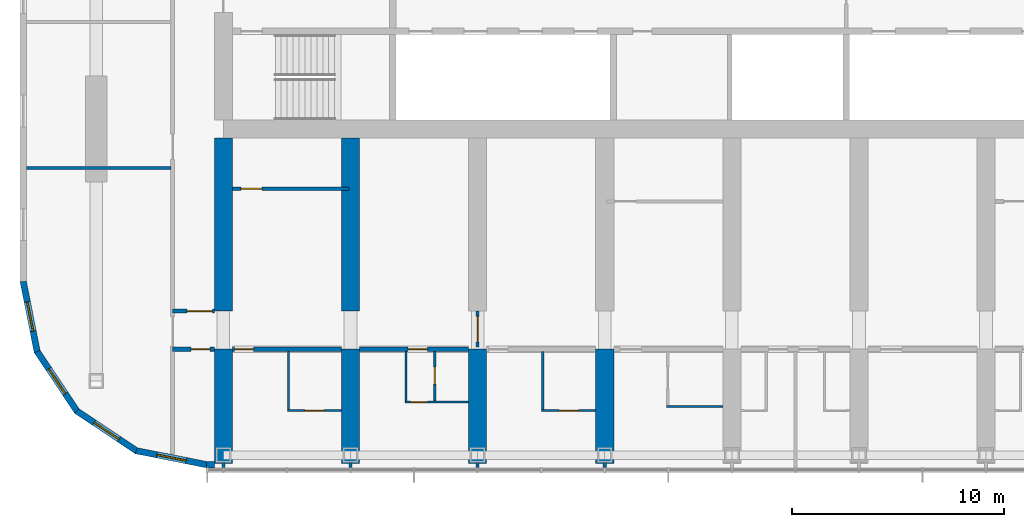
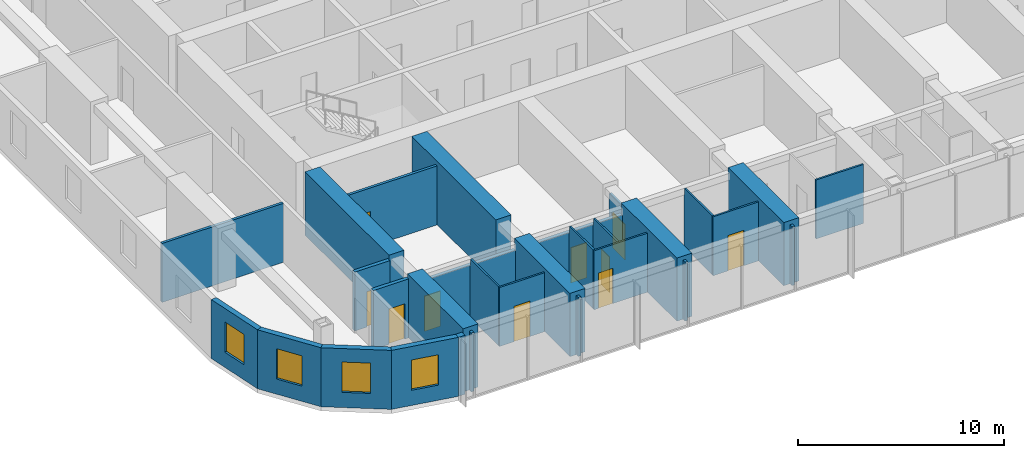
# One storey, part 10 of 23: 30 walls, 10 doors, 4 windows, 14 openings.
"""IFC4 building model written with IfcOpenShell, lengths in metres."""

from ifc_helpers import new_model, si_unit, direction, frame, frame_2d, origin, place, context, subcontext, project, spatial, polyline, rectangle, outline, extrude, material, layer, layer_set, type_object, element, fill, save


model = new_model("IFC4")

# Units and contexts
model_context = context("Model", 3, precision=1e-05, world=origin(), true_north=direction((0.0, 1.0)))
body_context = subcontext(model_context, "Body", "Model", "MODEL_VIEW")
ifc_project = project(units=[si_unit("LENGTHUNIT", "METRE"), si_unit("AREAUNIT", "SQUARE_METRE"), si_unit("VOLUMEUNIT", "CUBIC_METRE"), si_unit("PLANEANGLEUNIT", "RADIAN"), si_unit("MASSUNIT", "GRAM", prefix="KILO")], contexts=[model_context])

# Site, building, storey
site_placement = place(None, origin())
site = spatial("IfcSite", under=ifc_project, at=site_placement, CompositionType="ELEMENT")
building_placement = place(site_placement, origin())
building = spatial("IfcBuilding", under=site, at=building_placement, Name="Orbita Commons", CompositionType="ELEMENT")
storey_placement = place(building_placement, frame((0.0, 0.0, 171.10009765625)))
storey = spatial("IfcBuildingStorey", under=building, at=storey_placement, Name="L42", CompositionType="ELEMENT", Elevation=171.10009765625)

# Wall, opening, door
ifc_material_1 = material(Name="Concrete blockwork", Category="masonry")
ifc_layer_1 = layer(ifc_material_1, 0.199951171875)
ifc_layer_set_1 = layer_set([ifc_layer_1], Name="Concrete blockwork")
wall_type_1 = type_object("IfcWallType", Name="Corridor wall 200 blockwork", PredefinedType="SOLIDWALL", material=ifc_layer_set_1)
wall_1_placement = place(storey_placement, frame((15.60009765625, 15.39990234375, 0.0), z_axis=(0.0, 0.0, 1.0), x_axis=(1.0, 0.0, 0.0)))
wall_1 = element("IfcWall", 1, at=wall_1_placement, inside=storey, type_object=wall_type_1, Name="Corridor wall 200 blockwork L42", PredefinedType="SOLIDWALL", context=body_context, shape_type="SweptSolid", body=[
    extrude(rectangle(XDim=1.974853515625, YDim=0.199951171875, at=frame_2d((0.9873046875, 0.0))), origin(), (0.0, 0.0, 1.0), 3.5),
])
opening_1_placement = place(wall_1_placement, frame((0.875, 0.0, 0.0)))
opening_1 = element("IfcOpeningElement", 2, at=opening_1_placement, cuts=wall_1, Name="Opening D05", PredefinedType="OPENING", context=body_context, shape_type="SweptSolid", body=[
    extrude(rectangle(XDim=0.89990234375, YDim=2.10009765625, at=frame_2d((0.449951171875, 1.050048828125))), frame((0.0, 0.10986328125, 0.0), z_axis=(0.0, -1.0, 0.0), x_axis=(1.0, 0.0, 0.0)), (0.0, 0.0, 1.0), 0.219970703125),
])
ifc_material_2 = material(Name="Steel-faced fire door leaf", Category="steel")
door_type_1 = type_object("IfcDoorType", Name="Service door 20 min 900x2100", OperationType="SINGLE_SWING_LEFT", PredefinedType="DOOR", material=ifc_material_2)
door_1_placement = place(opening_1_placement, origin())
door_1 = element("IfcDoor", 3, at=door_1_placement, inside=storey, type_object=door_type_1, Name="Linen store L42-KWS door", OperationType="SINGLE_SWING_LEFT", OverallHeight=2.10009765625, OverallWidth=0.89990234375, PredefinedType="DOOR", context=body_context, shape_type="SweptSolid", body=[
    extrude(rectangle(XDim=0.89990234375, YDim=2.10009765625, at=frame_2d((0.449951171875, 1.050048828125))), frame((0.0, 0.02490234375, 0.0), z_axis=(0.0, -1.0, 0.0), x_axis=(1.0, 0.0, 0.0)), (0.0, 0.0, 1.0), 0.050048828125),
])
fill(opening_1, door_1)

wall_2_placement = place(storey_placement, frame((18.425048828125, 15.39990234375, 0.0), z_axis=(0.0, 0.0, 1.0), x_axis=(1.0, 0.0, 0.0)))
wall_2 = element("IfcWall", 4, at=wall_2_placement, inside=storey, type_object=wall_type_1, Name="Corridor wall 200 blockwork L42", PredefinedType="SOLIDWALL", context=body_context, shape_type="SweptSolid", body=[
    extrude(outline(polyline([(0.0, 0.0), (5.14990234375, 0.0), (5.14990234375, 3.099853515625), (0.0, 3.099853515625), (0.0, 0.0)])), frame((0.0, 0.10009765625, 0.0), z_axis=(0.0, -1.0, 0.0), x_axis=(1.0, 0.0, 0.0)), (0.0, 0.0, 1.0), 0.199951171875),
])
opening_2_placement = place(wall_2_placement, frame((0.10009765625, 0.0, 0.0)))
opening_2 = element("IfcOpeningElement", 5, at=opening_2_placement, cuts=wall_2, Name="Opening D11", PredefinedType="OPENING", context=body_context, shape_type="SweptSolid", body=[
    extrude(rectangle(XDim=0.89990234375, YDim=2.10009765625, at=frame_2d((0.449951171875, 1.050048828125))), frame((0.0, 0.10986328125, 0.0), z_axis=(0.0, -1.0, 0.0), x_axis=(1.0, 0.0, 0.0)), (0.0, 0.0, 1.0), 0.219970703125),
])
ifc_material_3 = material(Name="Steel-faced fire door leaf", Category="steel")
door_type_2 = type_object("IfcDoorType", Name="Corridor door 20 min 900x2100", OperationType="SINGLE_SWING_LEFT", PredefinedType="DOOR", material=ifc_material_3)
door_2_placement = place(opening_2_placement, origin())
door_2 = element("IfcDoor", 6, at=door_2_placement, inside=storey, type_object=door_type_2, Name="Twin room L42-S00 door", OperationType="SINGLE_SWING_LEFT", OverallHeight=2.10009765625, OverallWidth=0.89990234375, PredefinedType="DOOR", context=body_context, shape_type="SweptSolid", body=[
    extrude(rectangle(XDim=0.89990234375, YDim=2.10009765625, at=frame_2d((0.449951171875, 1.050048828125))), frame((0.0, 0.02490234375, 0.0), z_axis=(0.0, -1.0, 0.0), x_axis=(1.0, 0.0, 0.0)), (0.0, 0.0, 1.0), 0.050048828125),
])
fill(opening_2, door_2)

wall_3_placement = place(storey_placement, frame((24.425048828125, 15.39990234375, 0.0), z_axis=(0.0, 0.0, 1.0), x_axis=(1.0, 0.0, 0.0)))
wall_3 = element("IfcWall", 7, at=wall_3_placement, inside=storey, type_object=wall_type_1, Name="Corridor wall 200 blockwork L42", PredefinedType="SOLIDWALL", context=body_context, shape_type="SweptSolid", body=[
    extrude(outline(polyline([(0.0, 0.0), (5.14990234375, 0.0), (5.14990234375, 3.099853515625), (0.0, 3.099853515625), (0.0, 0.0)])), frame((0.0, 0.10009765625, 0.0), z_axis=(0.0, -1.0, 0.0), x_axis=(1.0, 0.0, 0.0)), (0.0, 0.0, 1.0), 0.199951171875),
])
opening_3_placement = place(wall_3_placement, frame((2.300048828125, 0.0, 0.0)))
opening_3 = element("IfcOpeningElement", 8, at=opening_3_placement, cuts=wall_3, Name="Opening D11", PredefinedType="OPENING", context=body_context, shape_type="SweptSolid", body=[
    extrude(rectangle(XDim=0.89990234375, YDim=2.10009765625, at=frame_2d((0.449951171875, 1.050048828125))), frame((0.0, 0.10986328125, 0.0), z_axis=(0.0, -1.0, 0.0), x_axis=(1.0, 0.0, 0.0)), (0.0, 0.0, 1.0), 0.219970703125),
])
door_3_placement = place(opening_3_placement, origin())
door_3 = element("IfcDoor", 9, at=door_3_placement, inside=storey, type_object=door_type_2, Name="Studio flat L42-S02 entrance door", OperationType="SINGLE_SWING_LEFT", OverallHeight=2.10009765625, OverallWidth=0.89990234375, PredefinedType="DOOR", context=body_context, shape_type="SweptSolid", body=[
    extrude(rectangle(XDim=0.89990234375, YDim=2.10009765625, at=frame_2d((0.449951171875, 1.050048828125))), frame((0.0, 0.02490234375, 0.0), z_axis=(0.0, -1.0, 0.0), x_axis=(1.0, 0.0, 0.0)), (0.0, 0.0, 1.0), 0.050048828125),
])
fill(opening_3, door_3)

ifc_material_4 = material(Name="Hollow concrete block 200", Category="concrete")
ifc_layer_2 = layer(ifc_material_4, 0.199951171875)
ifc_layer_set_2 = layer_set([ifc_layer_2], Name="Hollow concrete block 200")
wall_type_2 = type_object("IfcWallType", Name="Corridor wall 200 hollow concrete block", PredefinedType="SOLIDWALL", material=ifc_layer_set_2)
wall_4_placement = place(storey_placement, frame((15.60009765625, 17.199951171875, 0.0), z_axis=(0.0, 0.0, 1.0), x_axis=(1.0, 0.0, 0.0)))
wall_4 = element("IfcWall", 10, at=wall_4_placement, inside=storey, type_object=wall_type_2, Name="Corridor wall 200 hollow concrete block L42", PredefinedType="SOLIDWALL", context=body_context, shape_type="SweptSolid", body=[
    extrude(rectangle(XDim=1.974853515625, YDim=0.199951171875, at=frame_2d((0.9873046875, 0.0))), origin(), (0.0, 0.0, 1.0), 3.5),
])
opening_4_placement = place(wall_4_placement, frame((0.675048828125, 0.0, 0.0)))
opening_4 = element("IfcOpeningElement", 11, at=opening_4_placement, cuts=wall_4, Name="Opening D12", PredefinedType="OPENING", context=body_context, shape_type="SweptSolid", body=[
    extrude(rectangle(XDim=1.199951171875, YDim=2.10009765625, at=frame_2d((0.60009765625, 1.050048828125))), frame((0.0, 0.10986328125, 0.0), z_axis=(0.0, -1.0, 0.0), x_axis=(1.0, 0.0, 0.0)), (0.0, 0.0, 1.0), 0.219970703125),
])
ifc_material_5 = material(Name="Steel-faced fire door leaf", Category="steel")
door_type_3 = type_object("IfcDoorType", Name="Double corridor door 20 min 1200x2100", OperationType="DOUBLE_DOOR_SINGLE_SWING", PredefinedType="DOOR", material=ifc_material_5)
door_4_placement = place(opening_4_placement, origin())
door_4 = element("IfcDoor", 12, at=door_4_placement, inside=storey, type_object=door_type_3, Name="Cross corridor doors", OperationType="DOUBLE_DOOR_SINGLE_SWING", OverallHeight=2.10009765625, OverallWidth=1.199951171875, PredefinedType="DOOR", context=body_context, shape_type="SweptSolid", body=[
    extrude(rectangle(XDim=1.199951171875, YDim=2.10009765625, at=frame_2d((0.60009765625, 1.050048828125))), frame((0.0, 0.02490234375, 0.0), z_axis=(0.0, -1.0, 0.0), x_axis=(1.0, 0.0, 0.0)), (0.0, 0.0, 1.0), 0.050048828125),
])
fill(opening_4, door_4)

# Walls
ifc_material_6 = material(Name="Concrete C50/60", Category="concrete")
ifc_layer_3 = layer(ifc_material_6, 0.85009765625)
ifc_layer_set_3 = layer_set([ifc_layer_3], Name="Concrete C50/60")
wall_type_3 = type_object("IfcWallType", Name="Cross wall 850 C50/60", PredefinedType="SHEAR", material=ifc_layer_set_3)
wall_5_placement = place(storey_placement, frame((18.0, 10.0, 0.0), z_axis=(0.0, 0.0, 1.0), x_axis=(0.0, 1.0, 0.0)))
element("IfcWall", 13, at=wall_5_placement, inside=storey, type_object=wall_type_3, Name="Cross wall 4 south outer L42", PredefinedType="SHEAR", context=body_context, shape_type="SweptSolid", body=[
    extrude(rectangle(XDim=5.39990234375, YDim=0.85009765625, at=frame_2d((2.699951171875, 0.0))), origin(), (0.0, 0.0, 1.0), 3.75),
])
wall_6_placement = place(storey_placement, frame((18.0, 17.199951171875, 0.0), z_axis=(0.0, 0.0, 1.0), x_axis=(0.0, 1.0, 0.0)))
element("IfcWall", 14, at=wall_6_placement, inside=storey, type_object=wall_type_3, Name="Cross wall 4 south inner L42", PredefinedType="SHEAR", context=body_context, shape_type="SweptSolid", body=[
    extrude(rectangle(XDim=8.175048828125, YDim=0.85009765625, at=frame_2d((4.08740234375, 0.0))), origin(), (0.0, 0.0, 1.0), 3.75),
])
wall_7_placement = place(storey_placement, frame((24.0, 10.0, 0.0), z_axis=(0.0, 0.0, 1.0), x_axis=(0.0, 1.0, 0.0)))
element("IfcWall", 15, at=wall_7_placement, inside=storey, type_object=wall_type_3, Name="Cross wall 5 south outer L42", PredefinedType="SHEAR", context=body_context, shape_type="SweptSolid", body=[
    extrude(rectangle(XDim=5.39990234375, YDim=0.85009765625, at=frame_2d((2.699951171875, 0.0))), origin(), (0.0, 0.0, 1.0), 3.75),
])
wall_8_placement = place(storey_placement, frame((24.0, 17.199951171875, 0.0), z_axis=(0.0, 0.0, 1.0), x_axis=(0.0, 1.0, 0.0)))
element("IfcWall", 16, at=wall_8_placement, inside=storey, type_object=wall_type_3, Name="Cross wall 5 south inner L42", PredefinedType="SHEAR", context=body_context, shape_type="SweptSolid", body=[
    extrude(rectangle(XDim=8.175048828125, YDim=0.85009765625, at=frame_2d((4.08740234375, 0.0))), origin(), (0.0, 0.0, 1.0), 3.75),
])
for number, where, z_axis, x_axis, name in (
    (17, (30.0, 10.0, 0.0), (0.0, 0.0, 1.0), (0.0, 1.0, 0.0), "Cross wall 6 south outer L42"),
    (18, (36.0, 10.0, 0.0), (0.0, 0.0, 1.0), (0.0, 1.0, 0.0), "Cross wall 7 south outer L42"),
):
    element("IfcWall", number, at=place(storey_placement, frame(where, z_axis=z_axis, x_axis=x_axis)), inside=storey, type_object=wall_type_3, Name=name, PredefinedType="SHEAR", context=body_context, shape_type="SweptSolid", body=[
        extrude(rectangle(XDim=5.39990234375, YDim=0.85009765625, at=frame_2d((2.699951171875, 0.0))), origin(), (0.0, 0.0, 1.0), 3.75),
    ])

# Wall, opening, door
ifc_material_7 = material(Name="Moisture-resistant plasterboard on steel studs", Category="steel")
ifc_layer_4 = layer(ifc_material_7, 0.10009765625)
ifc_layer_set_4 = layer_set([ifc_layer_4], Name="Moisture-resistant plasterboard on steel studs")
wall_type_4 = type_object("IfcWallType", Name="En-suite partition 100", PredefinedType="PARTITIONING", material=ifc_layer_set_4)
wall_9_placement = place(storey_placement, frame((23.574951171875, 12.5, 0.0), z_axis=(0.0, 0.0, 1.0), x_axis=(-1.0, 0.0, 0.0)))
wall_9 = element("IfcWall", 19, at=wall_9_placement, inside=storey, type_object=wall_type_4, Name="En-suite partition 100 L42", PredefinedType="PARTITIONING", context=body_context, shape_type="SweptSolid", body=[
    extrude(rectangle(XDim=2.550048828125, YDim=0.10009765625, at=frame_2d((1.27490234375, 0.0))), origin(), (0.0, 0.0, 1.0), 3.5),
])
opening_5_placement = place(wall_9_placement, frame((0.824951171875, 0.0, 0.0)))
opening_5 = element("IfcOpeningElement", 20, at=opening_5_placement, cuts=wall_9, Name="Opening D09", PredefinedType="OPENING", context=body_context, shape_type="SweptSolid", body=[
    extrude(rectangle(XDim=0.89990234375, YDim=2.10009765625, at=frame_2d((0.449951171875, 1.050048828125))), frame((0.0, 0.06005859375, 0.0), z_axis=(0.0, -1.0, 0.0), x_axis=(1.0, 0.0, 0.0)), (0.0, 0.0, 1.0), 0.1201171875),
])
ifc_material_8 = material(Name="Laminated timber door leaf", Category="wood")
door_type_4 = type_object("IfcDoorType", Name="En-suite door 900x2100", OperationType="SINGLE_SWING_RIGHT", PredefinedType="DOOR", material=ifc_material_8)
door_5_placement = place(opening_5_placement, origin())
door_5 = element("IfcDoor", 21, at=door_5_placement, inside=storey, type_object=door_type_4, Name="En-suite L42-S00 door", OperationType="SINGLE_SWING_RIGHT", OverallHeight=2.10009765625, OverallWidth=0.89990234375, PredefinedType="DOOR", context=body_context, shape_type="SweptSolid", body=[
    extrude(rectangle(XDim=0.89990234375, YDim=2.10009765625, at=frame_2d((0.449951171875, 1.050048828125))), frame((0.0, 0.02490234375, 0.0), z_axis=(0.0, -1.0, 0.0), x_axis=(1.0, 0.0, 0.0)), (0.0, 0.0, 1.0), 0.050048828125),
])
fill(opening_5, door_5)

# Wall
wall_10_placement = place(storey_placement, frame((21.074951171875, 12.550048828125, 0.0), z_axis=(0.0, 0.0, 1.0), x_axis=(0.0, 1.0, 0.0)))
element("IfcWall", 22, at=wall_10_placement, inside=storey, type_object=wall_type_4, Name="En-suite partition 100 L42", PredefinedType="PARTITIONING", context=body_context, shape_type="SweptSolid", body=[
    extrude(outline(polyline([(0.0, 0.0), (2.75, 0.0), (2.75, 3.099853515625), (2.701904296875, 3.099853515625), (2.699951171875, 3.5), (0.0, 3.5), (0.0, 0.0)])), frame((0.0, 0.050048828125, 0.0), z_axis=(0.0, -1.0, 0.0), x_axis=(1.0, 0.0, 0.0)), (0.0, 0.0, 1.0), 0.10009765625),
])

# Wall, opening, door
wall_11_placement = place(storey_placement, frame((29.574951171875, 12.89990234375, 0.0), z_axis=(0.0, 0.0, 1.0), x_axis=(-1.0, 0.0, 0.0)))
wall_11 = element("IfcWall", 23, at=wall_11_placement, inside=storey, type_object=wall_type_4, Name="En-suite partition 100 L42", PredefinedType="PARTITIONING", context=body_context, shape_type="SweptSolid", body=[
    extrude(rectangle(XDim=3.0, YDim=0.10009765625, at=frame_2d((1.5, 0.0))), origin(), (0.0, 0.0, 1.0), 3.5),
])
opening_6_placement = place(wall_11_placement, frame((1.949951171875, 0.0, 0.0)))
opening_6 = element("IfcOpeningElement", 24, at=opening_6_placement, cuts=wall_11, Name="Opening D16", PredefinedType="OPENING", context=body_context, shape_type="SweptSolid", body=[
    extrude(rectangle(XDim=0.800048828125, YDim=2.10009765625, at=frame_2d((0.39990234375, 1.050048828125))), frame((0.0, 0.06005859375, 0.0), z_axis=(0.0, -1.0, 0.0), x_axis=(1.0, 0.0, 0.0)), (0.0, 0.0, 1.0), 0.1201171875),
])
ifc_material_9 = material(Name="Laminated timber door leaf", Category="wood")
door_type_5 = type_object("IfcDoorType", Name="En-suite door 800x2100", OperationType="SINGLE_SWING_RIGHT", PredefinedType="DOOR", material=ifc_material_9)
door_6_placement = place(opening_6_placement, origin())
door_6 = element("IfcDoor", 25, at=door_6_placement, inside=storey, type_object=door_type_5, Name="Studio flat L42-S02 door", OperationType="SINGLE_SWING_RIGHT", OverallHeight=2.10009765625, OverallWidth=0.800048828125, PredefinedType="DOOR", context=body_context, shape_type="SweptSolid", body=[
    extrude(rectangle(XDim=0.800048828125, YDim=2.10009765625, at=frame_2d((0.39990234375, 1.050048828125))), frame((0.0, 0.02490234375, 0.0), z_axis=(0.0, -1.0, 0.0), x_axis=(1.0, 0.0, 0.0)), (0.0, 0.0, 1.0), 0.050048828125),
])
fill(opening_6, door_6)

# Wall
wall_12_placement = place(storey_placement, frame((26.625, 12.949951171875, 0.0), z_axis=(0.0, 0.0, 1.0), x_axis=(0.0, 1.0, 0.0)))
element("IfcWall", 26, at=wall_12_placement, inside=storey, type_object=wall_type_4, Name="En-suite partition 100 L42", PredefinedType="PARTITIONING", context=body_context, shape_type="SweptSolid", body=[
    extrude(outline(polyline([(0.0, 0.0), (2.35009765625, 0.0), (2.35009765625, 3.099853515625), (2.302001953125, 3.099853515625), (2.300048828125, 3.5), (0.0, 3.5), (0.0, 0.0)])), frame((0.0, 0.050048828125, 0.0), z_axis=(0.0, -1.0, 0.0), x_axis=(1.0, 0.0, 0.0)), (0.0, 0.0, 1.0), 0.10009765625),
])

# Wall, opening, door
wall_13_placement = place(storey_placement, frame((27.97509765625, 12.949951171875, 0.0), z_axis=(0.0, 0.0, 1.0), x_axis=(0.0, 1.0, 0.0)))
wall_13 = element("IfcWall", 27, at=wall_13_placement, inside=storey, type_object=wall_type_4, Name="En-suite partition 100 L42", PredefinedType="PARTITIONING", context=body_context, shape_type="SweptSolid", body=[
    extrude(outline(polyline([(0.0, 0.0), (2.35009765625, 0.0), (2.35009765625, 3.099853515625), (2.302001953125, 3.099853515625), (2.300048828125, 3.5), (0.0, 3.5), (0.0, 0.0)])), frame((0.0, 0.050048828125, 0.0), z_axis=(0.0, -1.0, 0.0), x_axis=(1.0, 0.0, 0.0)), (0.0, 0.0, 1.0), 0.10009765625),
])
opening_7_placement = place(wall_13_placement, frame((0.800048828125, 0.0, 0.0)))
opening_7 = element("IfcOpeningElement", 28, at=opening_7_placement, cuts=wall_13, Name="Opening D16", PredefinedType="OPENING", context=body_context, shape_type="SweptSolid", body=[
    extrude(rectangle(XDim=0.800048828125, YDim=2.10009765625, at=frame_2d((0.39990234375, 1.050048828125))), frame((0.0, 0.06005859375, 0.0), z_axis=(0.0, -1.0, 0.0), x_axis=(1.0, 0.0, 0.0)), (0.0, 0.0, 1.0), 0.1201171875),
])
door_7_placement = place(opening_7_placement, origin())
door_7 = element("IfcDoor", 29, at=door_7_placement, inside=storey, type_object=door_type_5, Name="Studio flat shower room L42-S02 door", OperationType="SINGLE_SWING_RIGHT", OverallHeight=2.10009765625, OverallWidth=0.800048828125, PredefinedType="DOOR", context=body_context, shape_type="SweptSolid", body=[
    extrude(rectangle(XDim=0.800048828125, YDim=2.10009765625, at=frame_2d((0.39990234375, 1.050048828125))), frame((0.0, 0.02490234375, 0.0), z_axis=(0.0, -1.0, 0.0), x_axis=(1.0, 0.0, 0.0)), (0.0, 0.0, 1.0), 0.050048828125),
])
fill(opening_7, door_7)

wall_14_placement = place(storey_placement, frame((35.574951171875, 12.5, 0.0), z_axis=(0.0, 0.0, 1.0), x_axis=(-1.0, 0.0, 0.0)))
wall_14 = element("IfcWall", 30, at=wall_14_placement, inside=storey, type_object=wall_type_4, Name="En-suite partition 100 L42", PredefinedType="PARTITIONING", context=body_context, shape_type="SweptSolid", body=[
    extrude(rectangle(XDim=2.550048828125, YDim=0.10009765625, at=frame_2d((1.27490234375, 0.0))), origin(), (0.0, 0.0, 1.0), 3.5),
])
opening_8_placement = place(wall_14_placement, frame((0.824951171875, 0.0, 0.0)))
opening_8 = element("IfcOpeningElement", 31, at=opening_8_placement, cuts=wall_14, Name="Opening D09", PredefinedType="OPENING", context=body_context, shape_type="SweptSolid", body=[
    extrude(rectangle(XDim=0.89990234375, YDim=2.10009765625, at=frame_2d((0.449951171875, 1.050048828125))), frame((0.0, 0.06005859375, 0.0), z_axis=(0.0, -1.0, 0.0), x_axis=(1.0, 0.0, 0.0)), (0.0, 0.0, 1.0), 0.1201171875),
])
door_8_placement = place(opening_8_placement, origin())
door_8 = element("IfcDoor", 32, at=door_8_placement, inside=storey, type_object=door_type_4, Name="En-suite L42-S04 door", OperationType="SINGLE_SWING_RIGHT", OverallHeight=2.10009765625, OverallWidth=0.89990234375, PredefinedType="DOOR", context=body_context, shape_type="SweptSolid", body=[
    extrude(rectangle(XDim=0.89990234375, YDim=2.10009765625, at=frame_2d((0.449951171875, 1.050048828125))), frame((0.0, 0.02490234375, 0.0), z_axis=(0.0, -1.0, 0.0), x_axis=(1.0, 0.0, 0.0)), (0.0, 0.0, 1.0), 0.050048828125),
])
fill(opening_8, door_8)

# Walls
wall_15_placement = place(storey_placement, frame((33.074951171875, 12.550048828125, 0.0), z_axis=(0.0, 0.0, 1.0), x_axis=(0.0, 1.0, 0.0)))
element("IfcWall", 33, at=wall_15_placement, inside=storey, type_object=wall_type_4, Name="En-suite partition 100 L42", PredefinedType="PARTITIONING", context=body_context, shape_type="SweptSolid", body=[
    extrude(outline(polyline([(0.0, 0.0), (2.75, 0.0), (2.75, 3.099853515625), (2.701904296875, 3.099853515625), (2.699951171875, 3.5), (0.0, 3.5), (0.0, 0.0)])), frame((0.0, 0.050048828125, 0.0), z_axis=(0.0, -1.0, 0.0), x_axis=(1.0, 0.0, 0.0)), (0.0, 0.0, 1.0), 0.10009765625),
])
wall_16_placement = place(storey_placement, frame((38.925048828125, 12.699951171875, 0.0), z_axis=(0.0, 0.0, 1.0), x_axis=(1.0, 0.0, 0.0)))
element("IfcWall", 34, at=wall_16_placement, inside=storey, type_object=wall_type_4, Name="En-suite partition 100 L42", PredefinedType="PARTITIONING", context=body_context, shape_type="SweptSolid", body=[
    extrude(rectangle(XDim=2.64990234375, YDim=0.10009765625, at=frame_2d((1.324951171875, 0.0))), origin(), (0.0, 0.0, 1.0), 3.5),
])

# Wall, opening, door
ifc_material_10 = material(Name="Gypsum plasterboard on steel studs", Category="steel")
ifc_layer_5 = layer(ifc_material_10, 0.14990234375)
ifc_layer_set_5 = layer_set([ifc_layer_5], Name="Gypsum plasterboard on steel studs")
wall_type_5 = type_object("IfcWallType", Name="Partition 150 plasterboard", PredefinedType="PARTITIONING", material=ifc_layer_set_5)
wall_17_placement = place(storey_placement, frame((18.425048828125, 22.97509765625, 0.0), z_axis=(0.0, 0.0, 1.0), x_axis=(1.0, 0.0, 0.0)))
wall_17 = element("IfcWall", 35, at=wall_17_placement, inside=storey, type_object=wall_type_5, Name="Partition 150 plasterboard L42", PredefinedType="PARTITIONING", context=body_context, shape_type="SweptSolid", body=[
    extrude(rectangle(XDim=5.5, YDim=0.14990234375, at=frame_2d((2.75, 0.0))), origin(), (0.0, 0.0, 1.0), 3.5),
])
opening_9_placement = place(wall_17_placement, frame((0.39990234375, 0.0, 0.0)))
opening_9 = element("IfcOpeningElement", 36, at=opening_9_placement, cuts=wall_17, Name="Opening D18", PredefinedType="OPENING", context=body_context, shape_type="SweptSolid", body=[
    extrude(rectangle(XDim=1.0, YDim=2.10009765625, at=frame_2d((0.5, 1.050048828125))), frame((0.0, 0.0849609375, 0.0), z_axis=(0.0, -1.0, 0.0), x_axis=(1.0, 0.0, 0.0)), (0.0, 0.0, 1.0), 0.169921875),
])
ifc_material_11 = material(Name="Steel-faced fire door leaf", Category="steel")
door_type_6 = type_object("IfcDoorType", Name="Service door 20 min 1000x2100", OperationType="SINGLE_SWING_LEFT", PredefinedType="DOOR", material=ifc_material_11)
door_9_placement = place(opening_9_placement, origin())
door_9 = element("IfcDoor", 37, at=door_9_placement, inside=storey, type_object=door_type_6, Name="Cleaners store L42-BDS18 door", OperationType="SINGLE_SWING_LEFT", OverallHeight=2.10009765625, OverallWidth=1.0, PredefinedType="DOOR", context=body_context, shape_type="SweptSolid", body=[
    extrude(rectangle(XDim=1.0, YDim=2.10009765625, at=frame_2d((0.5, 1.050048828125))), frame((0.0, 0.02490234375, 0.0), z_axis=(0.0, -1.0, 0.0), x_axis=(1.0, 0.0, 0.0)), (0.0, 0.0, 1.0), 0.050048828125),
])
fill(opening_9, door_9)

wall_18_placement = place(storey_placement, frame((30.0, 15.5, 0.0), z_axis=(0.0, 0.0, 1.0), x_axis=(0.0, 1.0, 0.0)))
wall_18 = element("IfcWall", 38, at=wall_18_placement, inside=storey, type_object=wall_type_5, Name="Partition 150 plasterboard L42", PredefinedType="PARTITIONING", context=body_context, shape_type="SweptSolid", body=[
    extrude(outline(polyline([(0.0, 0.0), (1.699951171875, 0.0), (1.699951171875, 3.099853515625), (0.0, 3.099853515625), (0.0, 0.0)])), frame((0.0, 0.074951171875, 0.0), z_axis=(0.0, -1.0, 0.0), x_axis=(1.0, 0.0, 0.0)), (0.0, 0.0, 1.0), 0.14990234375),
])
opening_10_placement = place(wall_18_placement, frame((0.25, 0.0, 0.0)))
opening_10 = element("IfcOpeningElement", 39, at=opening_10_placement, cuts=wall_18, Name="Opening D12", PredefinedType="OPENING", context=body_context, shape_type="SweptSolid", body=[
    extrude(rectangle(XDim=1.199951171875, YDim=2.10009765625, at=frame_2d((0.60009765625, 1.050048828125))), frame((0.0, 0.0849609375, 0.0), z_axis=(0.0, -1.0, 0.0), x_axis=(1.0, 0.0, 0.0)), (0.0, 0.0, 1.0), 0.169921875),
])
door_10_placement = place(opening_10_placement, origin())
door_10 = element("IfcDoor", 40, at=door_10_placement, inside=storey, type_object=door_type_3, Name="Social spine south screen doors", OperationType="DOUBLE_DOOR_SINGLE_SWING", OverallHeight=2.10009765625, OverallWidth=1.199951171875, PredefinedType="DOOR", context=body_context, shape_type="SweptSolid", body=[
    extrude(rectangle(XDim=1.199951171875, YDim=2.10009765625, at=frame_2d((0.60009765625, 1.050048828125))), frame((0.0, 0.02490234375, 0.0), z_axis=(0.0, -1.0, 0.0), x_axis=(1.0, 0.0, 0.0)), (0.0, 0.0, 1.0), 0.050048828125),
])
fill(opening_10, door_10)

# Walls
wall_19_placement = place(storey_placement, frame((8.705078125, 23.9599609375, 0.0), z_axis=(0.0, 0.0, 1.0), x_axis=(1.0, 0.0, 0.0)))
element("IfcWall", 41, at=wall_19_placement, inside=storey, type_object=wall_type_5, Name="Partition 150 plasterboard L42", PredefinedType="PARTITIONING", context=body_context, shape_type="SweptSolid", body=[
    extrude(rectangle(XDim=6.81982421875, YDim=0.14990234375, at=frame_2d((3.409912109375, 0.0))), origin(), (0.0, 0.0, 1.0), 3.5),
])
for number, where, z_axis, x_axis, name in (
    (42, (18.0, 10.050048828125, 0.0), (0.0, 0.0, 1.0), (0.0, -1.0, 0.0), "Partition 150 plasterboard L42"),
    (43, (24.0, 10.050048828125, 0.0), (0.0, 0.0, 1.0), (0.0, -1.0, 0.0), "Partition 150 plasterboard L42"),
    (44, (30.0, 10.050048828125, 0.0), (0.0, 0.0, 1.0), (0.0, -1.0, 0.0), "Partition 150 plasterboard L42"),
    (45, (36.0, 10.050048828125, 0.0), (0.0, 0.0, 1.0), (0.0, -1.0, 0.0), "Partition 150 plasterboard L42"),
):
    element("IfcWall", number, at=place(storey_placement, frame(where, z_axis=z_axis, x_axis=x_axis)), inside=storey, type_object=wall_type_5, Name=name, PredefinedType="PARTITIONING", context=body_context, shape_type="SweptSolid", body=[
        extrude(rectangle(XDim=0.239990234375, YDim=0.14990234375, at=frame_2d((0.1201171875, 0.0))), origin(), (0.0, 0.0, 1.0), 3.5),
    ])

# Wall, opening, window
ifc_material_12 = material(Name="Precast concrete C40/50, white board-marked finish", Category="concrete")
ifc_layer_6 = layer(ifc_material_12, 0.300048828125)
ifc_layer_set_6 = layer_set([ifc_layer_6], Name="Precast concrete C40/50, white board-marked finish")
wall_type_6 = type_object("IfcWallType", Name="Precast concrete end shield 300", PredefinedType="SOLIDWALL", material=ifc_layer_set_6)
wall_20_placement = place(storey_placement, frame((8.550048828125, 18.60009765625, 0.0), z_axis=(0.0, 0.0, 1.0), x_axis=(0.19508664885, -0.980786011034, 0.0)))
wall_20 = element("IfcWall", 46, at=wall_20_placement, inside=storey, type_object=wall_type_6, Name="End shield SW chord 1 L42", PredefinedType="SOLIDWALL", context=body_context, shape_type="SweptSolid", body=[
    extrude(outline(polyline([(-0.014892578125, -0.14990234375), (3.405029296875, -0.14990234375), (3.345458984375, 0.14990234375), (0.014892578125, 0.14990234375), (-0.014892578125, -0.14990234375)])), origin(), (0.0, 0.0, 1.0), 3.5),
])
opening_11_placement = place(wall_20_placement, frame((0.987548828125, 0.0, 0.89990234375)))
opening_11 = element("IfcOpeningElement", 47, at=opening_11_placement, cuts=wall_20, Name="Opening W02", PredefinedType="OPENING", context=body_context, shape_type="SweptSolid", body=[
    extrude(rectangle(XDim=1.39990234375, YDim=1.800048828125, at=frame_2d((0.699951171875, 0.89990234375))), frame((0.0, 0.159912109375, 0.0), z_axis=(0.0, -1.0, 0.0), x_axis=(1.0, 0.0, 0.0)), (0.0, 0.0, 1.0), 0.320068359375),
])
ifc_material_13 = material(Name="Aluminium frame, clear double glazing", Category="aluminium")
window_type = type_object("IfcWindowType", Name="Deep-set window 1400x1800", PartitioningType="SINGLE_PANEL", PredefinedType="WINDOW", material=ifc_material_13)
window_1_placement = place(opening_11_placement, origin())
window_1 = element("IfcWindow", 48, at=window_1_placement, inside=storey, type_object=window_type, Name="Window L42-SW0", OverallHeight=1.800048828125, OverallWidth=1.39990234375, PartitioningType="SINGLE_PANEL", PredefinedType="WINDOW", context=body_context, shape_type="SweptSolid", body=[
    extrude(rectangle(XDim=1.39990234375, YDim=1.800048828125, at=frame_2d((0.699951171875, 0.89990234375))), frame((0.0, 0.030029296875, 0.0), z_axis=(0.0, -1.0, 0.0), x_axis=(1.0, 0.0, 0.0)), (0.0, 0.0, 1.0), 0.06005859375),
])
fill(opening_11, window_1)

wall_21_placement = place(storey_placement, frame((9.20849609375, 15.289794921875, 0.0), z_axis=(0.0, 0.0, 1.0), x_axis=(0.555534554399, -0.831493450887, 0.0)))
wall_21 = element("IfcWall", 49, at=wall_21_placement, inside=storey, type_object=wall_type_6, Name="End shield SW chord 2 L42", PredefinedType="SOLIDWALL", context=body_context, shape_type="SweptSolid", body=[
    extrude(outline(polyline([(-0.02978515625, -0.14990234375), (3.405029296875, -0.14990234375), (3.345458984375, 0.14990234375), (0.02978515625, 0.14990234375), (-0.02978515625, -0.14990234375)])), origin(), (0.0, 0.0, 1.0), 3.5),
])
opening_12_placement = place(wall_21_placement, frame((0.987548828125, 0.0, 0.89990234375)))
opening_12 = element("IfcOpeningElement", 50, at=opening_12_placement, cuts=wall_21, Name="Opening W02", PredefinedType="OPENING", context=body_context, shape_type="SweptSolid", body=[
    extrude(rectangle(XDim=1.39990234375, YDim=1.800048828125, at=frame_2d((0.699951171875, 0.89990234375))), frame((0.0, 0.159912109375, 0.0), z_axis=(0.0, -1.0, 0.0), x_axis=(1.0, 0.0, 0.0)), (0.0, 0.0, 1.0), 0.320068359375),
])
window_2_placement = place(opening_12_placement, origin())
window_2 = element("IfcWindow", 51, at=window_2_placement, inside=storey, type_object=window_type, Name="Window L42-SW1", OverallHeight=1.800048828125, OverallWidth=1.39990234375, PartitioningType="SINGLE_PANEL", PredefinedType="WINDOW", context=body_context, shape_type="SweptSolid", body=[
    extrude(rectangle(XDim=1.39990234375, YDim=1.800048828125, at=frame_2d((0.699951171875, 0.89990234375))), frame((0.0, 0.030029296875, 0.0), z_axis=(0.0, -1.0, 0.0), x_axis=(1.0, 0.0, 0.0)), (0.0, 0.0, 1.0), 0.06005859375),
])
fill(opening_12, window_2)

wall_22_placement = place(storey_placement, frame((11.08349609375, 12.4833984375, 0.0), z_axis=(0.0, 0.0, 1.0), x_axis=(0.831493450887, -0.555534554399, 0.0)))
wall_22 = element("IfcWall", 52, at=wall_22_placement, inside=storey, type_object=wall_type_6, Name="End shield SW chord 3 L42", PredefinedType="SOLIDWALL", context=body_context, shape_type="SweptSolid", body=[
    extrude(outline(polyline([(-0.02978515625, -0.14990234375), (3.405029296875, -0.14990234375), (3.345458984375, 0.14990234375), (0.02978515625, 0.14990234375), (-0.02978515625, -0.14990234375)])), origin(), (0.0, 0.0, 1.0), 3.5),
])
opening_13_placement = place(wall_22_placement, frame((0.987548828125, 0.0, 0.89990234375)))
opening_13 = element("IfcOpeningElement", 53, at=opening_13_placement, cuts=wall_22, Name="Opening W02", PredefinedType="OPENING", context=body_context, shape_type="SweptSolid", body=[
    extrude(rectangle(XDim=1.39990234375, YDim=1.800048828125, at=frame_2d((0.699951171875, 0.89990234375))), frame((0.0, 0.159912109375, 0.0), z_axis=(0.0, -1.0, 0.0), x_axis=(1.0, 0.0, 0.0)), (0.0, 0.0, 1.0), 0.320068359375),
])
window_3_placement = place(opening_13_placement, origin())
window_3 = element("IfcWindow", 54, at=window_3_placement, inside=storey, type_object=window_type, Name="Window L42-SW2", OverallHeight=1.800048828125, OverallWidth=1.39990234375, PartitioningType="SINGLE_PANEL", PredefinedType="WINDOW", context=body_context, shape_type="SweptSolid", body=[
    extrude(rectangle(XDim=1.39990234375, YDim=1.800048828125, at=frame_2d((0.699951171875, 0.89990234375))), frame((0.0, 0.030029296875, 0.0), z_axis=(0.0, -1.0, 0.0), x_axis=(1.0, 0.0, 0.0)), (0.0, 0.0, 1.0), 0.06005859375),
])
fill(opening_13, window_3)

wall_23_placement = place(storey_placement, frame((13.889892578125, 10.6083984375, 0.0), z_axis=(0.0, 0.0, 1.0), x_axis=(0.98078325777, -0.195100490205, 0.0)))
wall_23 = element("IfcWall", 55, at=wall_23_placement, inside=storey, type_object=wall_type_6, Name="End shield SW chord 4 L42", PredefinedType="SOLIDWALL", context=body_context, shape_type="SweptSolid", body=[
    extrude(outline(polyline([(-0.02978515625, -0.14990234375), (3.40478515625, -0.14990234375), (3.34521484375, 0.14990234375), (0.02978515625, 0.14990234375), (-0.02978515625, -0.14990234375)])), origin(), (0.0, 0.0, 1.0), 3.5),
])
opening_14_placement = place(wall_23_placement, frame((0.987548828125, 0.0, 0.89990234375)))
opening_14 = element("IfcOpeningElement", 56, at=opening_14_placement, cuts=wall_23, Name="Opening W02", PredefinedType="OPENING", context=body_context, shape_type="SweptSolid", body=[
    extrude(rectangle(XDim=1.39990234375, YDim=1.800048828125, at=frame_2d((0.699951171875, 0.89990234375))), frame((0.0, 0.159912109375, 0.0), z_axis=(0.0, -1.0, 0.0), x_axis=(1.0, 0.0, 0.0)), (0.0, 0.0, 1.0), 0.320068359375),
])
window_4_placement = place(opening_14_placement, origin())
window_4 = element("IfcWindow", 57, at=window_4_placement, inside=storey, type_object=window_type, Name="Window L42-SW3", OverallHeight=1.800048828125, OverallWidth=1.39990234375, PartitioningType="SINGLE_PANEL", PredefinedType="WINDOW", context=body_context, shape_type="SweptSolid", body=[
    extrude(rectangle(XDim=1.39990234375, YDim=1.800048828125, at=frame_2d((0.699951171875, 0.89990234375))), frame((0.0, 0.030029296875, 0.0), z_axis=(0.0, -1.0, 0.0), x_axis=(1.0, 0.0, 0.0)), (0.0, 0.0, 1.0), 0.06005859375),
])
fill(opening_14, window_4)

# Wall
wall_24_placement = place(storey_placement, frame((17.199951171875, 9.949951171875, 0.0), z_axis=(0.0, 0.0, 1.0), x_axis=(1.0, 0.0, 0.0)))
element("IfcWall", 58, at=wall_24_placement, inside=storey, type_object=wall_type_6, Name="End shield SW closer L42", PredefinedType="SOLIDWALL", context=body_context, shape_type="SweptSolid", body=[
    extrude(rectangle(XDim=0.375, YDim=0.300048828125, at=frame_2d((0.1875, 0.0))), origin(), (0.0, 0.0, 1.0), 3.5),
])

save(model, "model.ifc")
